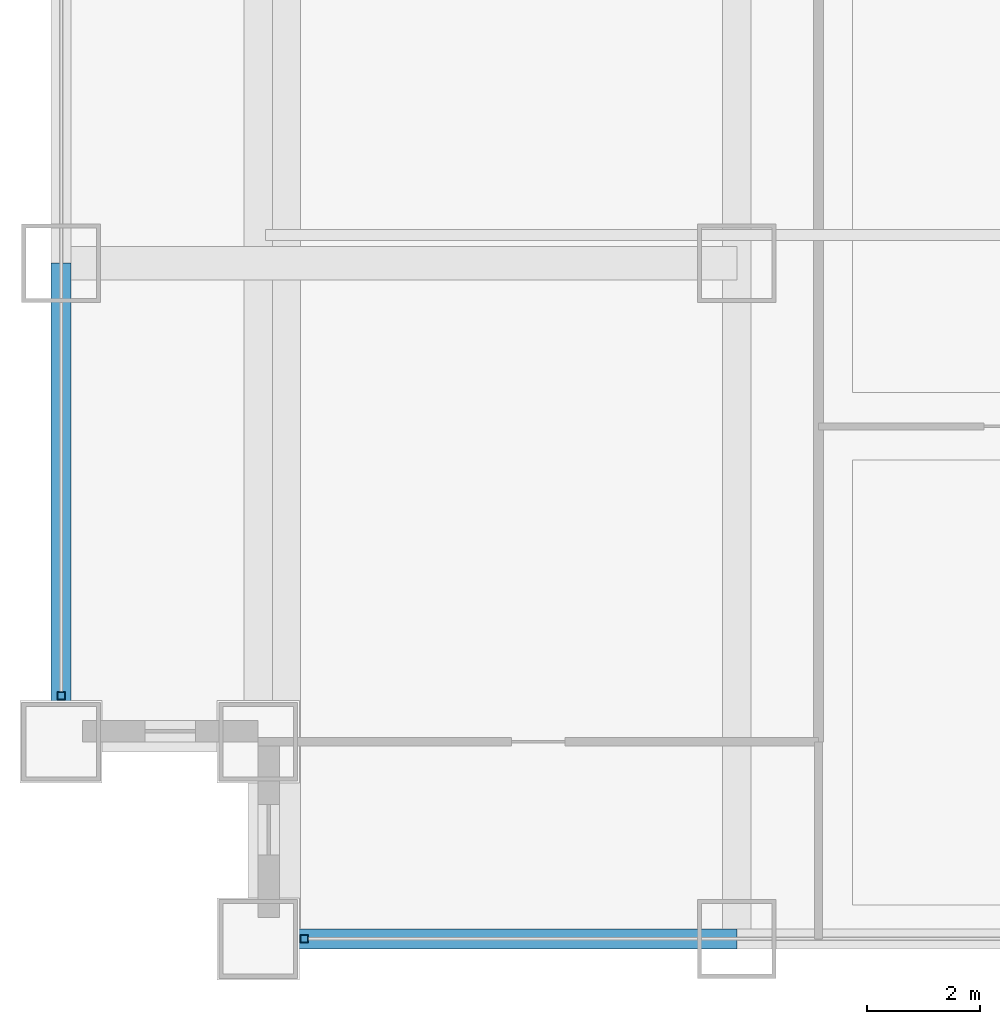
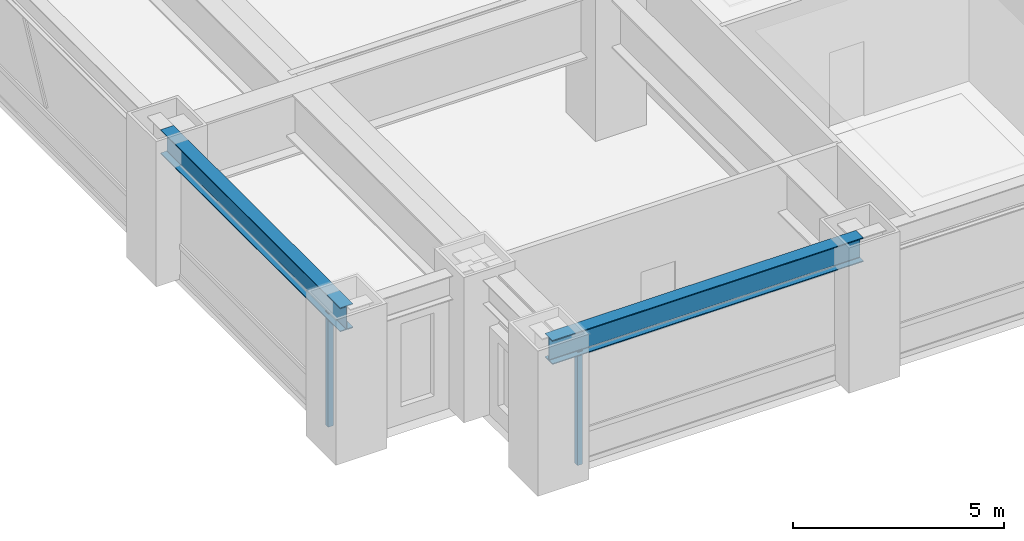
# One storey, part 2 of 29: 2 beams, 2 members, 2 elements without a shape of their own.
"""IFC4 building model written with IfcOpenShell, lengths in metres."""

from ifc_helpers import new_model, si_unit, direction, frame, origin, origin_2d, place, context, subcontext, project, spatial, hollow_rectangle, i_section, extrude, source, transform, mapped, material, material_profile, profile_set, type_object, element, aggregate, save


model = new_model("IFC4")

# Units and contexts
model_context = context("Model", 3, precision=1e-05, world=origin(), true_north=direction((0.0, 1.0)))
body_context = subcontext(model_context, "Body", "Model", "MODEL_VIEW")
ifc_project = project(units=[si_unit("LENGTHUNIT", "METRE"), si_unit("AREAUNIT", "SQUARE_METRE"), si_unit("VOLUMEUNIT", "CUBIC_METRE"), si_unit("PLANEANGLEUNIT", "RADIAN"), si_unit("MASSUNIT", "GRAM", prefix="KILO")], contexts=[model_context])

# Site, building, storey
site_placement = place(None, origin())
site = spatial("IfcSite", under=ifc_project, at=site_placement, CompositionType="ELEMENT")
building_placement = place(site_placement, origin())
building = spatial("IfcBuilding", under=site, at=building_placement, Name="Khorayat Bourse Tower", CompositionType="ELEMENT")
storey_placement = place(building_placement, frame((0.0, 0.0, 87.199951171875)))
storey = spatial("IfcBuildingStorey", under=building, at=storey_placement, Name="L19", CompositionType="ELEMENT", Elevation=87.199951171875)

# Beams
ifc_material_1 = material(Name="Steel ASTM A992 Grade 50", Category="steel")
ifc_material_profile_1 = material_profile(ifc_material_1, i_section(OverallWidth=0.35498046875, OverallDepth=0.695068359375, WebThickness=0.015380859375, FlangeThickness=0.02490234375, FilletRadius=0.01806640625, at=origin_2d()), Name="W690X217")
ifc_profile_set_1 = profile_set([ifc_material_profile_1], Name="Steel ASTM A992 Grade 50")
beam_type = type_object("IfcBeamType", Name="BM-SPAN-690", PredefinedType="SPANDREL", material=ifc_profile_set_1)
shared_shape_1 = source(origin(), body_context, "Body", "SweptSolid", [
    extrude(i_section(OverallWidth=0.35498046875, OverallDepth=0.695068359375, WebThickness=0.015380859375, FlangeThickness=0.02490234375, FilletRadius=0.01806640625, at=origin_2d()), origin(), (0.0, 0.0, 1.0), 8.5),
])
for number, where, z_axis, x_axis, name in (
    (1, (-28.5, -32.0, 3.592529296875), (1.0, 0.0, 0.0), (0.0, 1.0, 0.0), "L19 BM-SPAN-690 BM-L19-SPN-024"),
    (2, (-32.0, -28.5, 3.592529296875), (0.0, 1.0, 0.0), (-1.0, 0.0, 0.0), "L19 BM-SPAN-690 BM-L19-SPN-061"),
):
    element("IfcBeam", number, at=place(storey_placement, frame(where, z_axis=z_axis, x_axis=x_axis)), inside=storey, type_object=beam_type, Name=name, PredefinedType="SPANDREL", context=body_context, shape_type="MappedRepresentation", body=[
        mapped(shared_shape_1, transform((0.0, 0.0, 0.0), scale=1.0)),
    ])

# Curtain wall, member
ifc_material_2 = material(Name="Aluminium EN AW-6063 T6", Category="aluminium")
curtain_wall_type = type_object("IfcCurtainWallType", Name="CW-SYS-02", PredefinedType="NOTDEFINED", material=ifc_material_2)
curtain_wall_1_placement = place(storey_placement, origin())
curtain_wall_1 = element("IfcCurtainWall", 3, at=curtain_wall_1_placement, inside=storey, type_object=curtain_wall_type, Name="L19 Curtain Wall CW-L19-S1", PredefinedType="NOTDEFINED")
ifc_material_profile_2 = material_profile(ifc_material_2, hollow_rectangle(XDim=0.139892578125, YDim=0.139892578125, WallThickness=0.006103515625, at=origin_2d()), Name="ALU 140x140x6")
ifc_profile_set_2 = profile_set([ifc_material_profile_2], Name="Aluminium EN AW-6063 T6")
member_type = type_object("IfcMemberType", Name="CWM-VERT-140", PredefinedType="MULLION", material=ifc_profile_set_2)
shared_shape_2 = source(origin(), body_context, "Body", "SweptSolid", [
    extrude(hollow_rectangle(XDim=0.139892578125, YDim=0.139892578125, WallThickness=0.006103515625, at=origin_2d()), origin(), (0.0, 0.0, 1.0), 3.2900390625),
])
member_1_placement = place(storey_placement, frame((-27.679931640625, -32.0, 0.0), z_axis=(0.0, 0.0, 1.0), x_axis=(0.0, 1.0, 0.0)))
member_1 = element("IfcMember", 4, at=member_1_placement, type_object=member_type, Name="CW-L19-S1 Vertical Mullion 1", PredefinedType="MULLION", context=body_context, shape_type="MappedRepresentation", body=[
    mapped(shared_shape_2, transform((0.0, 0.0, 0.0), scale=1.0)),
])
aggregate(curtain_wall_1, [member_1])

curtain_wall_2_placement = place(storey_placement, origin())
curtain_wall_2 = element("IfcCurtainWall", 5, at=curtain_wall_2_placement, inside=storey, type_object=curtain_wall_type, Name="L19 Curtain Wall CW-L19-W1", PredefinedType="NOTDEFINED")
member_2_placement = place(storey_placement, frame((-32.0, -27.679931640625, 0.0), z_axis=(0.0, 0.0, 1.0), x_axis=(-1.0, 0.0, 0.0)))
member_2 = element("IfcMember", 6, at=member_2_placement, type_object=member_type, Name="CW-L19-W1 Vertical Mullion 1", PredefinedType="MULLION", context=body_context, shape_type="MappedRepresentation", body=[
    mapped(shared_shape_2, transform((0.0, 0.0, 0.0), scale=1.0)),
])
aggregate(curtain_wall_2, [member_2])

save(model, "model.ifc")
